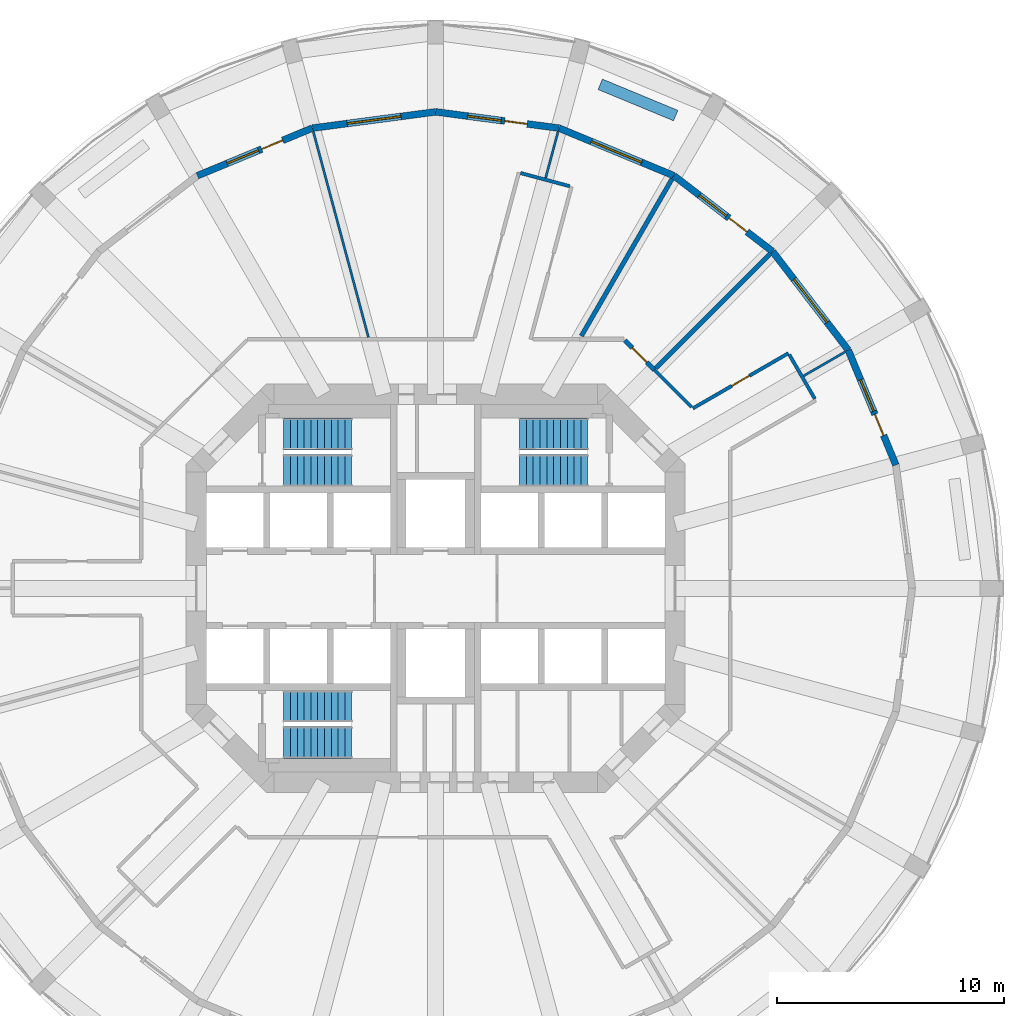
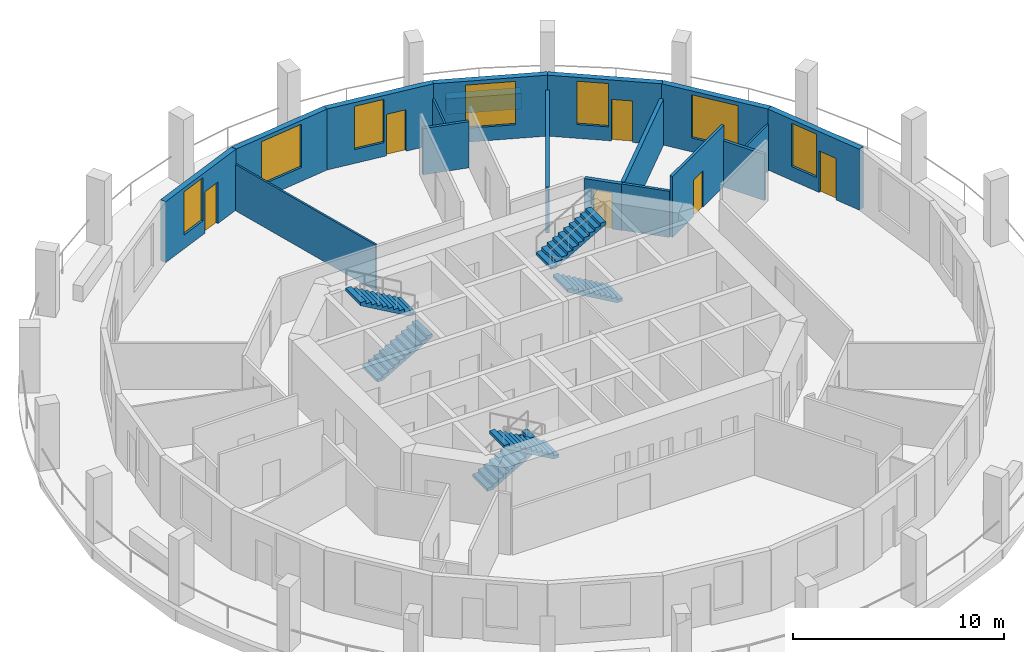
# One storey, part 6 of 8: 18 walls, 7 windows, 6 doors, 6 stair flights, 13 openings, 3 elements without a shape of their own.
"""IFC4 building model written with IfcOpenShell, lengths in metres."""

import ifcopenshell
import ifcopenshell.guid

model = None  # the IFC model being written
_history = None  # IfcOwnerHistory: only IFC2X3 demands one
_inside = {}  # id of a spatial element -> (the spatial element, [elements in it])
_under = {}  # id of a project, library or spatial element -> (it, [spatial elements below it])
_declared = {}  # id of a project -> (the project, [libraries it declares])
_typed = {}  # id of a type object -> (the type object, [elements of that type])
_made_of = {}  # id of a material, layer set ... -> (it, [elements and type objects made of it])


def new_model(schema):
    """Start an empty IFC model of exactly this schema.

    Asked for "IFC4X3", IfcOpenShell would pick the latest addendum, in which some entities
    have other attributes; the version numbers below select the first issue.
    IFC2X3 requires an IfcOwnerHistory on every rooted entity: one is made here for all.
    """
    global model, _history
    if schema == "IFC4X3":
        model = ifcopenshell.file(schema_version=(4, 3, 0, 0))
    else:
        model = ifcopenshell.file(schema=schema)
    _inside.clear()
    _under.clear()
    _declared.clear()
    _typed.clear()
    _made_of.clear()
    _history = None
    if model.schema == "IFC2X3":
        org = make("IfcOrganization", Name="unknown")
        user = make(
            "IfcPersonAndOrganization",
            ThePerson=make("IfcPerson", FamilyName="unknown"),
            TheOrganization=org,
        )
        app = make(
            "IfcApplication",
            ApplicationDeveloper=org,
            Version="unknown",
            ApplicationFullName="unknown",
            ApplicationIdentifier="unknown",
        )
        _history = make(
            "IfcOwnerHistory",
            OwningUser=user,
            OwningApplication=app,
            ChangeAction="ADDED",
            CreationDate=0,
        )
    return model


def make(cls, **values):
    """One entity of the class cls with the attributes given. An attribute that is None is left unset."""
    return model.create_entity(
        cls, **{name: value for name, value in values.items() if value is not None}
    )


def rooted(cls, **values):
    """An entity with a GlobalId (a new one), such as an element, a storey or a relation."""
    return make(cls, GlobalId=ifcopenshell.guid.new(), OwnerHistory=_history, **values)


def si_unit(unit_type, name, prefix=None):
    """IfcSIUnit, for example si_unit("LENGTHUNIT", "METRE", prefix="MILLI")."""
    return make("IfcSIUnit", UnitType=unit_type, Prefix=prefix, Name=name)


def assignment(units):
    """IfcUnitAssignment: the units of a project."""
    return None if units is None else make("IfcUnitAssignment", Units=units)


def point(xyz):
    """IfcCartesianPoint."""
    return None if xyz is None else make("IfcCartesianPoint", Coordinates=xyz)


def direction(xyz):
    """IfcDirection."""
    return None if xyz is None else make("IfcDirection", DirectionRatios=xyz)


def frame(location, z_axis=None, x_axis=None):
    """IfcAxis2Placement3D, a coordinate frame: its origin and axes. An axis left out is left unset."""
    return make(
        "IfcAxis2Placement3D",
        Location=point(location),
        Axis=direction(z_axis),
        RefDirection=direction(x_axis),
    )


def frame_2d(location, x_axis=None):
    """IfcAxis2Placement2D, a coordinate frame in the plane: its origin and x axis."""
    return make(
        "IfcAxis2Placement2D", Location=point(location), RefDirection=direction(x_axis)
    )


def origin():
    """The frame at (0, 0, 0) with its axes left unset."""
    return frame((0.0, 0.0, 0.0))


def place(relative_to, where):
    """IfcLocalPlacement: puts the frame where relative to a parent placement (None: the world)."""
    return make(
        "IfcLocalPlacement", PlacementRelTo=relative_to, RelativePlacement=where
    )


def context(
    kind, dimensions, precision=None, world=None, true_north=None, identifier=None
):
    """IfcGeometricRepresentationContext, for example the 3D "Model" context."""
    return make(
        "IfcGeometricRepresentationContext",
        ContextIdentifier=identifier,
        ContextType=kind,
        CoordinateSpaceDimension=dimensions,
        Precision=precision,
        WorldCoordinateSystem=world,
        TrueNorth=true_north,
    )


def subcontext(parent, identifier, kind, view, scale=None):
    """IfcGeometricRepresentationSubContext, for example "Body" below "Model"."""
    return make(
        "IfcGeometricRepresentationSubContext",
        ContextIdentifier=identifier,
        ContextType=kind,
        ParentContext=parent,
        TargetScale=scale,
        TargetView=view,
    )


def project(units=None, contexts=None):
    """IfcProject with its units and contexts."""
    return rooted(
        "IfcProject",
        Name="project",
        RepresentationContexts=contexts,
        UnitsInContext=assignment(units),
    )


def spatial(cls, under=None, at=None, **own):
    """A site, building, storey or space (cls), placed at a placement, below another one or the project."""
    s = rooted(cls, ObjectPlacement=at, **own)
    if under is not None:
        _under.setdefault(under.id(), (under, []))[1].append(s)
    return s


def polyline(points):
    """IfcPolyline through the points."""
    return make("IfcPolyline", Points=[point(p) for p in points])


def profile(cls, at=None, kind="AREA", **sizes):
    """A parametric profile (cls). Its sizes go by their IFC names, for example OverallWidth=200.0."""
    return make(cls, ProfileType=kind, Position=at, **sizes)


def rectangle(**sizes):
    """IfcRectangleProfileDef."""
    return profile("IfcRectangleProfileDef", **sizes)


def outline(outer, holes=None, kind="AREA"):
    """IfcArbitraryClosedProfileDef: a profile drawn as a closed curve; with holes, ...WithVoids."""
    if holes is None:
        return make("IfcArbitraryClosedProfileDef", ProfileType=kind, OuterCurve=outer)
    return make(
        "IfcArbitraryProfileDefWithVoids",
        ProfileType=kind,
        OuterCurve=outer,
        InnerCurves=holes,
    )


def extrude(swept, where, along, depth):
    """IfcExtrudedAreaSolid: the profile swept, set in the frame where, extruded along a direction by depth."""
    return make(
        "IfcExtrudedAreaSolid",
        SweptArea=swept,
        Position=where,
        ExtrudedDirection=direction(along),
        Depth=depth,
    )


def shape(context_of_items, identifier, shape_type, items):
    """IfcShapeRepresentation: the items that make up one representation, for example the "Body"."""
    return make(
        "IfcShapeRepresentation",
        ContextOfItems=context_of_items,
        RepresentationIdentifier=identifier,
        RepresentationType=shape_type,
        Items=items,
    )


def material(Name=None, Category=None):
    """IfcMaterial."""
    return make("IfcMaterial", Name=Name, Category=Category)


def layer(
    of_material, thickness, ventilated=None, Name=None, Category=None, Priority=None
):
    """IfcMaterialLayer: one layer of a wall or slab, of a material (None: an air gap)."""
    return make(
        "IfcMaterialLayer",
        Material=of_material,
        LayerThickness=thickness,
        IsVentilated=ventilated,
        Name=Name,
        Category=Category,
        Priority=Priority,
    )


def layer_set(layers, Name=None):
    """IfcMaterialLayerSet."""
    return make("IfcMaterialLayerSet", MaterialLayers=layers, LayerSetName=Name)


def made_of(thing, what):
    """Note that an element or type object is made of a material, layer set ...; save() writes the relation."""
    if what is not None:
        _made_of.setdefault(what.id(), (what, []))[1].append(thing)
    return thing


def type_object(cls, material=None, **own):
    """A type object (cls), such as IfcWallType, which elements share."""
    return made_of(rooted(cls, **own), material)


def element(
    cls,
    number,
    at=None,
    inside=None,
    cuts=None,
    type_object=None,
    material=None,
    context=None,
    identifier="Body",
    shape_type=None,
    held_by="IfcProductDefinitionShape",
    body=None,
    shapes=None,
    **own,
):
    """One element of the class cls, such as IfcWall. Its Tag is "e" and its number.

    at: its placement. inside: the storey or other place that contains it. cuts: it is an
    opening in that element (IfcRelVoidsElement). A single representation is given by context,
    identifier, shape_type and body (its items); several are given by shapes. held_by: the class
    of the entity that holds the representations. save() writes the other relations.
    """
    e = rooted(cls, Tag="e%d" % number, ObjectPlacement=at, **own)
    if body is not None:
        shapes = [shape(context, identifier, shape_type, body)]
    if shapes is not None:
        e.Representation = make(held_by, Representations=shapes)
    if inside is not None:
        _inside.setdefault(inside.id(), (inside, []))[1].append(e)
    if cuts is not None:
        rooted(
            "IfcRelVoidsElement", RelatingBuildingElement=cuts, RelatedOpeningElement=e
        )
    if type_object is not None:
        _typed.setdefault(type_object.id(), (type_object, []))[1].append(e)
    return made_of(e, material)


def fill(opening, filler):
    """IfcRelFillsElement: the door or window that sits in an opening."""
    return rooted(
        "IfcRelFillsElement",
        RelatingOpeningElement=opening,
        RelatedBuildingElement=filler,
    )


def aggregate(whole, parts):
    """IfcRelAggregates: a whole, such as a stair, and the parts it consists of."""
    return rooted("IfcRelAggregates", RelatingObject=whole, RelatedObjects=parts)


def save(model, path):
    """Write the relations noted so far, then the file.

    IfcRelAggregates (storeys below a building ...), IfcRelContainedInSpatialStructure (elements
    in a storey), IfcRelDefinesByType, IfcRelAssociatesMaterial and IfcRelDeclares: one each for
    every whole, place, type object, material and project.
    """
    for whole, parts in _under.values():
        aggregate(whole, parts)
    for where, things in _inside.values():
        rooted(
            "IfcRelContainedInSpatialStructure",
            RelatedElements=things,
            RelatingStructure=where,
        )
    for kind, things in _typed.values():
        rooted("IfcRelDefinesByType", RelatedObjects=things, RelatingType=kind)
    for what, things in _made_of.values():
        rooted("IfcRelAssociatesMaterial", RelatedObjects=things, RelatingMaterial=what)
    for by, libraries in _declared.values():
        rooted("IfcRelDeclares", RelatingContext=by, RelatedDefinitions=libraries)
    model.write(path)


model = new_model("IFC4")

# Units and contexts
model_context = context("Model", 3, precision=1e-05, world=origin(), true_north=direction((0.0, 1.0)))
body_context = subcontext(model_context, "Body", "Model", "MODEL_VIEW")
ifc_project = project(units=[si_unit("LENGTHUNIT", "METRE"), si_unit("AREAUNIT", "SQUARE_METRE"), si_unit("VOLUMEUNIT", "CUBIC_METRE"), si_unit("PLANEANGLEUNIT", "RADIAN"), si_unit("MASSUNIT", "GRAM", prefix="KILO")], contexts=[model_context])

# Site, building, storey
site_placement = place(None, origin())
site = spatial("IfcSite", under=ifc_project, at=site_placement, CompositionType="ELEMENT")
building_placement = place(site_placement, origin())
building = spatial("IfcBuilding", under=site, at=building_placement, Name="Torre Triforio", CompositionType="ELEMENT")
storey_placement = place(building_placement, frame((0.0, 0.0, 139.0)))
storey = spatial("IfcBuildingStorey", under=building, at=storey_placement, Name="L31", CompositionType="ELEMENT", Elevation=139.0)

# Walls
ifc_material_1 = material(Name="Plasterboard on metal studs")
ifc_layer_1 = layer(ifc_material_1, 0.14990234375)
ifc_layer_set_1 = layer_set([ifc_layer_1], Name="Plasterboard on metal studs")
wall_type_1 = type_object("IfcWallType", Name="Corridor and tenancy wall 150 mm EI 60", PredefinedType="PARTITIONING", material=ifc_layer_set_1)
wall_1_placement = place(storey_placement, frame((3.739990234375, 18.304443359375, 0.0), z_axis=(0.0, 0.0, 1.0), x_axis=(0.965933522054, -0.25879032241, 0.0)))
element("IfcWall", 1, at=wall_1_placement, inside=storey, type_object=wall_type_1, Name="Partition 11", PredefinedType="PARTITIONING", context=body_context, shape_type="SweptSolid", body=[
    extrude(rectangle(XDim=2.25, YDim=0.14990234375, at=frame_2d((1.125, 0.0))), origin(), (0.0, 0.0, 1.0), 2.669921875),
])
wall_2_placement = place(storey_placement, frame((9.6328125, 9.6328125, 0.0), z_axis=(0.0, 0.0, 1.0), x_axis=(0.707106781187, -0.707106781187, 0.0)))
element("IfcWall", 2, at=wall_2_placement, inside=storey, type_object=wall_type_1, Name="Partition 16", PredefinedType="PARTITIONING", context=body_context, shape_type="SweptSolid", body=[
    extrude(rectangle(XDim=2.33544921875, YDim=0.14990234375, at=frame_2d((1.167724609375, 0.0))), origin(), (0.0, 0.0, 1.0), 2.669921875),
])

# Wall, opening, door
wall_3_placement = place(storey_placement, frame((11.335693359375, 7.930419921875, 0.0), z_axis=(0.0, 0.0, 1.0), x_axis=(0.866042731792, 0.49996998581, 0.0)))
wall_3 = element("IfcWall", 3, at=wall_3_placement, inside=storey, type_object=wall_type_1, Name="Partition 17", PredefinedType="PARTITIONING", context=body_context, shape_type="SweptSolid", body=[
    extrude(rectangle(XDim=4.866455078125, YDim=0.14990234375, at=frame_2d((2.43310546875, 0.0))), origin(), (0.0, 0.0, 1.0), 3.52001953125),
])
opening_1_placement = place(wall_3_placement, frame((1.9833984375, 0.0, 0.0)))
opening_1 = element("IfcOpeningElement", 4, at=opening_1_placement, cuts=wall_3, Name="Opening D3-10", PredefinedType="OPENING", context=body_context, shape_type="SweptSolid", body=[
    extrude(rectangle(XDim=0.89990234375, YDim=2.10009765625, at=frame_2d((0.449951171875, 1.050048828125))), frame((0.0, 0.0849609375, 0.0), z_axis=(0.0, -1.0, 0.0), x_axis=(1.0, 0.0, 0.0)), (0.0, 0.0, 1.0), 0.169921875),
])
ifc_material_2 = material(Name="Timber", Category="wood")
door_type_1 = type_object("IfcDoorType", Name="Door 900 x 2100 single leaf EI 30", OperationType="NOTDEFINED", PredefinedType="DOOR", material=ifc_material_2)
door_1_placement = place(opening_1_placement, origin())
door_1 = element("IfcDoor", 5, at=door_1_placement, inside=storey, type_object=door_type_1, Name="Door D3-10", OperationType="SINGLE_SWING_LEFT", OverallHeight=2.10009765625, OverallWidth=0.89990234375, PredefinedType="DOOR", context=body_context, shape_type="SweptSolid", body=[
    extrude(rectangle(XDim=0.89990234375, YDim=2.10009765625, at=frame_2d((0.449951171875, 1.050048828125))), frame((0.0, 0.02490234375, 0.0), z_axis=(0.0, -1.0, 0.0), x_axis=(1.0, 0.0, 0.0)), (0.0, 0.0, 1.0), 0.050048828125),
])
fill(opening_1, door_1)

# Walls
wall_4_placement = place(storey_placement, frame((15.587890625, 10.298583984375, 0.0), z_axis=(0.0, 0.0, 1.0), x_axis=(0.500013631625, -0.866017533419, 0.0)))
element("IfcWall", 6, at=wall_4_placement, inside=storey, type_object=wall_type_1, Name="Partition 18", PredefinedType="PARTITIONING", context=body_context, shape_type="SweptSolid", body=[
    extrude(rectangle(XDim=2.25, YDim=0.14990234375, at=frame_2d((1.125, 0.0))), origin(), (0.0, 0.0, 1.0), 2.669921875),
])
ifc_layer_2 = layer(ifc_material_1, 0.10009765625)
ifc_layer_set_2 = layer_set([ifc_layer_2], Name="Plasterboard on metal studs")
wall_type_2 = type_object("IfcWallType", Name="Partition 100 mm board on metal studs", PredefinedType="PARTITIONING", material=ifc_layer_set_2)
wall_5_placement = place(storey_placement, frame((16.215087890625, 9.36181640625, 0.0), z_axis=(0.0, 0.0, 1.0), x_axis=(0.866016279763, 0.500015802937, 0.0)))
element("IfcWall", 7, at=wall_5_placement, inside=storey, type_object=wall_type_2, Name="Partition 30", PredefinedType="PARTITIONING", context=body_context, shape_type="SweptSolid", body=[
    extrude(rectangle(XDim=2.11328125, YDim=0.10009765625, at=frame_2d((1.056640625, 0.0))), origin(), (0.0, 0.0, 1.0), 2.669921875),
])
wall_6_placement = place(storey_placement, frame((4.84619140625, 18.085693359375, 0.0), z_axis=(0.0, 0.0, 1.0), x_axis=(0.258705282257, 0.965956301772, 0.0)))
element("IfcWall", 8, at=wall_6_placement, inside=storey, type_object=wall_type_2, Name="Partition 33", PredefinedType="PARTITIONING", context=body_context, shape_type="SweptSolid", body=[
    extrude(rectangle(XDim=2.113037109375, YDim=0.10009765625, at=frame_2d((1.056640625, 0.0))), origin(), (0.0, 0.0, 1.0), 2.669921875),
])
wall_7_placement = place(storey_placement, frame((-2.964599609375, 11.064208984375, 0.0), z_axis=(0.0, 0.0, 1.0), x_axis=(-0.258812392192, 0.965927608906, 0.0)))
element("IfcWall", 9, at=wall_7_placement, inside=storey, type_object=wall_type_2, Name="Partition 34", PredefinedType="PARTITIONING", context=body_context, shape_type="SweptSolid", body=[
    extrude(rectangle(XDim=9.382080078125, YDim=0.10009765625, at=frame_2d((4.69091796875, 0.0))), origin(), (0.0, 0.0, 1.0), 2.669921875),
])

# Wall, opening, door
ifc_material_3 = material(Name="Masonry block", Category="masonry")
ifc_layer_3 = layer(ifc_material_3, 0.199951171875)
ifc_layer_set_3 = layer_set([ifc_layer_3], Name="Masonry block")
wall_type_3 = type_object("IfcWallType", Name="Plant room wall 200 mm block EI 120", PredefinedType="PARTITIONING", material=ifc_layer_set_3)
wall_8_placement = place(storey_placement, frame((8.34033203125, 10.925537109375, 0.0), z_axis=(0.0, 0.0, 1.0), x_axis=(0.707040000549, -0.707173555517, 0.0)))
wall_8 = element("IfcWall", 10, at=wall_8_placement, inside=storey, type_object=wall_type_3, Name="Partition 15", PredefinedType="PARTITIONING", context=body_context, shape_type="SweptSolid", body=[
    extrude(rectangle(XDim=1.828125, YDim=0.199951171875, at=frame_2d((0.9140625, 0.0))), origin(), (0.0, 0.0, 1.0), 2.669921875),
])
opening_2_placement = place(wall_8_placement, frame((0.464111328125, 0.0, 0.0)))
opening_2 = element("IfcOpeningElement", 11, at=opening_2_placement, cuts=wall_8, Name="Opening D3-11", PredefinedType="OPENING", context=body_context, shape_type="SweptSolid", body=[
    extrude(rectangle(XDim=0.89990234375, YDim=2.10009765625, at=frame_2d((0.449951171875, 1.050048828125))), frame((0.0, 0.10986328125, 0.0), z_axis=(0.0, -1.0, 0.0), x_axis=(1.0, 0.0, 0.0)), (0.0, 0.0, 1.0), 0.219970703125),
])
ifc_material_4 = material(Name="Hollow metal fire door leaf")
door_type_2 = type_object("IfcDoorType", Name="Door 900 x 2100 single leaf EI 60", OperationType="NOTDEFINED", PredefinedType="DOOR", material=ifc_material_4)
door_2_placement = place(opening_2_placement, origin())
door_2 = element("IfcDoor", 12, at=door_2_placement, inside=storey, type_object=door_type_2, Name="Door D3-11", OperationType="SINGLE_SWING_LEFT", OverallHeight=2.10009765625, OverallWidth=0.89990234375, PredefinedType="DOOR", context=body_context, shape_type="SweptSolid", body=[
    extrude(rectangle(XDim=0.89990234375, YDim=2.10009765625, at=frame_2d((0.449951171875, 1.050048828125))), frame((0.0, 0.02490234375, 0.0), z_axis=(0.0, -1.0, 0.0), x_axis=(1.0, 0.0, 0.0)), (0.0, 0.0, 1.0), 0.050048828125),
])
fill(opening_2, door_2)

# Walls
wall_9_placement = place(storey_placement, frame((9.70361328125, 9.70361328125, 0.0), z_axis=(0.0, 0.0, 1.0), x_axis=(0.707106781187, 0.707106781187, 0.0)))
element("IfcWall", 13, at=wall_9_placement, inside=storey, type_object=wall_type_3, Name="Partition 31", PredefinedType="PARTITIONING", context=body_context, shape_type="SweptSolid", body=[
    extrude(rectangle(XDim=7.11376953125, YDim=0.199951171875, at=frame_2d((3.556884765625, 0.0))), origin(), (0.0, 0.0, 1.0), 2.669921875),
])
wall_10_placement = place(storey_placement, frame((6.422607421875, 11.12451171875, 0.0), z_axis=(0.0, 0.0, 1.0), x_axis=(0.500019519773, 0.866014133745, 0.0)))
element("IfcWall", 14, at=wall_10_placement, inside=storey, type_object=wall_type_3, Name="Partition 32", PredefinedType="PARTITIONING", context=body_context, shape_type="SweptSolid", body=[
    extrude(rectangle(XDim=7.991455078125, YDim=0.199951171875, at=frame_2d((3.99560546875, 0.0))), origin(), (0.0, 0.0, 1.0), 2.669921875),
])
ifc_material_5 = material(Name="Limestone cladding", Category="masonry")
ifc_layer_4 = layer(ifc_material_5, 0.10009765625)
ifc_material_6 = material(Name="Concrete C40", Category="concrete")
ifc_layer_5 = layer(ifc_material_6, 0.39990234375)
ifc_layer_set_4 = layer_set([ifc_layer_4, ifc_layer_5], Name="Limestone cladding / Concrete C40")
wall_type_4 = type_object("IfcWallType", Name="Planter wall 500", PredefinedType="PARAPET", material=ifc_layer_set_4)
wall_11_placement = place(storey_placement, frame((10.57958984375, 20.837646484375, 0.0), z_axis=(0.0, 0.0, 1.0), x_axis=(-0.923909393783, 0.382611332921, 0.0)))
element("IfcWall", 15, at=wall_11_placement, inside=storey, type_object=wall_type_4, Name="Planter L31 bay 05", PredefinedType="PARAPET", context=body_context, shape_type="SweptSolid", body=[
    extrude(rectangle(XDim=3.60009765625, YDim=0.5, at=frame_2d((1.800048828125, 0.0))), origin(), (0.0, 0.0, 1.0), 0.89990234375),
])

# Wall, openings, door, window
ifc_layer_6 = layer(ifc_material_5, 0.10009765625)
ifc_layer_7 = layer(ifc_material_6, 0.199951171875)
ifc_layer_set_5 = layer_set([ifc_layer_6, ifc_layer_7], Name="Limestone cladding / Concrete C40")
wall_type_5 = type_object("IfcWallType", Name="Stone-faced composite wall 300", PredefinedType="STANDARD", material=ifc_layer_set_5)
wall_12_placement = place(storey_placement, frame((20.284423828125, 5.435302734375, 0.0), z_axis=(0.0, 0.0, 1.0), x_axis=(-0.382688740813, 0.923877333662, 0.0)))
wall_12 = element("IfcWall", 16, at=wall_12_placement, inside=storey, type_object=wall_type_5, Name="External wall L31 bay 02", PredefinedType="STANDARD", context=body_context, shape_type="SweptSolid", body=[
    extrude(rectangle(XDim=5.48193359375, YDim=0.300048828125, at=frame_2d((2.740966796875, 0.0))), origin(), (0.0, 0.0, 1.0), 3.52001953125),
])
opening_3_placement = place(wall_12_placement, frame((1.416015625, 0.0, 0.0)))
opening_3 = element("IfcOpeningElement", 17, at=opening_3_placement, cuts=wall_12, Name="Opening D3-D02", PredefinedType="OPENING", context=body_context, shape_type="SweptSolid", body=[
    extrude(rectangle(XDim=1.0, YDim=2.39990234375, at=frame_2d((0.5, 1.199951171875))), frame((0.0, 0.159912109375, 0.0), z_axis=(0.0, -1.0, 0.0), x_axis=(1.0, 0.0, 0.0)), (0.0, 0.0, 1.0), 0.320068359375),
])
opening_4_placement = place(wall_12_placement, frame((2.566162109375, 0.0, 0.800048828125)))
opening_4 = element("IfcOpeningElement", 18, at=opening_4_placement, cuts=wall_12, Name="Opening D3-W02A", PredefinedType="OPENING", context=body_context, shape_type="SweptSolid", body=[
    extrude(rectangle(XDim=1.5, YDim=2.5, at=frame_2d((0.75, 1.25))), frame((0.0, 0.159912109375, 0.0), z_axis=(0.0, -1.0, 0.0), x_axis=(1.0, 0.0, 0.0)), (0.0, 0.0, 1.0), 0.320068359375),
])
ifc_material_7 = material(Name="Aluminium frame with clear double glazing", Category="aluminium")
door_type_3 = type_object("IfcDoorType", Name="Loggia door 1000 x 2400", OperationType="NOTDEFINED", PredefinedType="DOOR", material=ifc_material_7)
door_3_placement = place(opening_3_placement, origin())
door_3 = element("IfcDoor", 19, at=door_3_placement, inside=storey, type_object=door_type_3, Name="Loggia door L31 bay 02", OperationType="SINGLE_SWING_LEFT", OverallHeight=2.39990234375, OverallWidth=1.0, PredefinedType="DOOR", context=body_context, shape_type="SweptSolid", body=[
    extrude(rectangle(XDim=1.0, YDim=2.39990234375, at=frame_2d((0.5, 1.199951171875))), frame((0.0, 0.02490234375, 0.0), z_axis=(0.0, -1.0, 0.0), x_axis=(1.0, 0.0, 0.0)), (0.0, 0.0, 1.0), 0.050048828125),
])
fill(opening_3, door_3)
window_type_1 = type_object("IfcWindowType", Name="Side window 1500 x 2500", PartitioningType="SINGLE_PANEL", PredefinedType="WINDOW", material=ifc_material_7)
window_1_placement = place(opening_4_placement, origin())
window_1 = element("IfcWindow", 20, at=window_1_placement, inside=storey, type_object=window_type_1, Name="Side window EWN13 L31 bay 02", OverallHeight=2.5, OverallWidth=1.5, PartitioningType="SINGLE_PANEL", PredefinedType="WINDOW", context=body_context, shape_type="SweptSolid", body=[
    extrude(rectangle(XDim=1.5, YDim=2.5, at=frame_2d((0.75, 1.25))), frame((0.0, 0.030029296875, 0.0), z_axis=(0.0, -1.0, 0.0), x_axis=(1.0, 0.0, 0.0)), (0.0, 0.0, 1.0), 0.06005859375),
])
fill(opening_4, window_1)

# Wall, opening, window
wall_13_placement = place(storey_placement, frame((18.1865234375, 10.5, 0.0), z_axis=(0.0, 0.0, 1.0), x_axis=(-0.608784891166, 0.793335336593, 0.0)))
wall_13 = element("IfcWall", 21, at=wall_13_placement, inside=storey, type_object=wall_type_5, Name="External wall L31 bay 03", PredefinedType="STANDARD", context=body_context, shape_type="SweptSolid", body=[
    extrude(rectangle(XDim=5.482177734375, YDim=0.300048828125, at=frame_2d((2.7412109375, 0.0))), origin(), (0.0, 0.0, 1.0), 3.52001953125),
])
opening_5_placement = place(wall_13_placement, frame((1.541015625, 0.0, 0.800048828125)))
opening_5 = element("IfcOpeningElement", 22, at=opening_5_placement, cuts=wall_13, Name="Opening D3-W03", PredefinedType="OPENING", context=body_context, shape_type="SweptSolid", body=[
    extrude(rectangle(XDim=2.39990234375, YDim=2.5, at=frame_2d((1.199951171875, 1.25))), frame((0.0, 0.159912109375, 0.0), z_axis=(0.0, -1.0, 0.0), x_axis=(1.0, 0.0, 0.0)), (0.0, 0.0, 1.0), 0.320068359375),
])
window_type_2 = type_object("IfcWindowType", Name="Punched window 2400 x 2500", PartitioningType="DOUBLE_PANEL_VERTICAL", PredefinedType="WINDOW", material=ifc_material_7)
window_2_placement = place(opening_5_placement, origin())
window_2 = element("IfcWindow", 23, at=window_2_placement, inside=storey, type_object=window_type_2, Name="Window EWN3 L31 bay 03", OverallHeight=2.5, OverallWidth=2.39990234375, PartitioningType="SINGLE_PANEL", PredefinedType="WINDOW", context=body_context, shape_type="SweptSolid", body=[
    extrude(rectangle(XDim=2.39990234375, YDim=2.5, at=frame_2d((1.199951171875, 1.25))), frame((0.0, 0.030029296875, 0.0), z_axis=(0.0, -1.0, 0.0), x_axis=(1.0, 0.0, 0.0)), (0.0, 0.0, 1.0), 0.06005859375),
])
fill(opening_5, window_2)

# Wall, openings, door, window
wall_14_placement = place(storey_placement, frame((14.84912109375, 14.84912109375, 0.0), z_axis=(0.0, 0.0, 1.0), x_axis=(-0.793335336593, 0.608784891166, 0.0)))
wall_14 = element("IfcWall", 24, at=wall_14_placement, inside=storey, type_object=wall_type_5, Name="External wall L31 bay 04", PredefinedType="STANDARD", context=body_context, shape_type="SweptSolid", body=[
    extrude(rectangle(XDim=5.482177734375, YDim=0.300048828125, at=frame_2d((2.7412109375, 0.0))), origin(), (0.0, 0.0, 1.0), 3.52001953125),
])
opening_6_placement = place(wall_14_placement, frame((1.416015625, 0.0, 0.0)))
opening_6 = element("IfcOpeningElement", 25, at=opening_6_placement, cuts=wall_14, Name="Opening D3-D04", PredefinedType="OPENING", context=body_context, shape_type="SweptSolid", body=[
    extrude(rectangle(XDim=1.0, YDim=2.39990234375, at=frame_2d((0.5, 1.199951171875))), frame((0.0, 0.159912109375, 0.0), z_axis=(0.0, -1.0, 0.0), x_axis=(1.0, 0.0, 0.0)), (0.0, 0.0, 1.0), 0.320068359375),
])
opening_7_placement = place(wall_14_placement, frame((2.56591796875, 0.0, 0.800048828125)))
opening_7 = element("IfcOpeningElement", 26, at=opening_7_placement, cuts=wall_14, Name="Opening D3-W04A", PredefinedType="OPENING", context=body_context, shape_type="SweptSolid", body=[
    extrude(rectangle(XDim=1.5, YDim=2.5, at=frame_2d((0.75, 1.25))), frame((0.0, 0.159912109375, 0.0), z_axis=(0.0, -1.0, 0.0), x_axis=(1.0, 0.0, 0.0)), (0.0, 0.0, 1.0), 0.320068359375),
])
door_4_placement = place(opening_6_placement, origin())
door_4 = element("IfcDoor", 27, at=door_4_placement, inside=storey, type_object=door_type_3, Name="Loggia door L31 bay 04", OperationType="SINGLE_SWING_LEFT", OverallHeight=2.39990234375, OverallWidth=1.0, PredefinedType="DOOR", context=body_context, shape_type="SweptSolid", body=[
    extrude(rectangle(XDim=1.0, YDim=2.39990234375, at=frame_2d((0.5, 1.199951171875))), frame((0.0, 0.02490234375, 0.0), z_axis=(0.0, -1.0, 0.0), x_axis=(1.0, 0.0, 0.0)), (0.0, 0.0, 1.0), 0.050048828125),
])
fill(opening_6, door_4)
window_3_placement = place(opening_7_placement, origin())
window_3 = element("IfcWindow", 28, at=window_3_placement, inside=storey, type_object=window_type_1, Name="Side window EWN13 L31 bay 04", OverallHeight=2.5, OverallWidth=1.5, PartitioningType="SINGLE_PANEL", PredefinedType="WINDOW", context=body_context, shape_type="SweptSolid", body=[
    extrude(rectangle(XDim=1.5, YDim=2.5, at=frame_2d((0.75, 1.25))), frame((0.0, 0.030029296875, 0.0), z_axis=(0.0, -1.0, 0.0), x_axis=(1.0, 0.0, 0.0)), (0.0, 0.0, 1.0), 0.06005859375),
])
fill(opening_7, window_3)

# Wall, opening, window
wall_15_placement = place(storey_placement, frame((10.5, 18.1865234375, 0.0), z_axis=(0.0, 0.0, 1.0), x_axis=(-0.923877333662, 0.382688740813, 0.0)))
wall_15 = element("IfcWall", 29, at=wall_15_placement, inside=storey, type_object=wall_type_5, Name="External wall L31 bay 05", PredefinedType="STANDARD", context=body_context, shape_type="SweptSolid", body=[
    extrude(rectangle(XDim=5.48193359375, YDim=0.300048828125, at=frame_2d((2.740966796875, 0.0))), origin(), (0.0, 0.0, 1.0), 3.52001953125),
])
opening_8_placement = place(wall_15_placement, frame((1.541015625, 0.0, 0.800048828125)))
opening_8 = element("IfcOpeningElement", 30, at=opening_8_placement, cuts=wall_15, Name="Opening D3-W05", PredefinedType="OPENING", context=body_context, shape_type="SweptSolid", body=[
    extrude(rectangle(XDim=2.39990234375, YDim=2.5, at=frame_2d((1.199951171875, 1.25))), frame((0.0, 0.159912109375, 0.0), z_axis=(0.0, -1.0, 0.0), x_axis=(1.0, 0.0, 0.0)), (0.0, 0.0, 1.0), 0.320068359375),
])
window_4_placement = place(opening_8_placement, origin())
window_4 = element("IfcWindow", 31, at=window_4_placement, inside=storey, type_object=window_type_2, Name="Window EWN3 L31 bay 05", OverallHeight=2.5, OverallWidth=2.39990234375, PartitioningType="SINGLE_PANEL", PredefinedType="WINDOW", context=body_context, shape_type="SweptSolid", body=[
    extrude(rectangle(XDim=2.39990234375, YDim=2.5, at=frame_2d((1.199951171875, 1.25))), frame((0.0, 0.030029296875, 0.0), z_axis=(0.0, -1.0, 0.0), x_axis=(1.0, 0.0, 0.0)), (0.0, 0.0, 1.0), 0.06005859375),
])
fill(opening_8, window_4)

# Wall, openings, door, window
wall_16_placement = place(storey_placement, frame((5.435302734375, 20.284423828125, 0.0), z_axis=(0.0, 0.0, 1.0), x_axis=(-0.991444743541, 0.130527087244, 0.0)))
wall_16 = element("IfcWall", 32, at=wall_16_placement, inside=storey, type_object=wall_type_5, Name="External wall L31 bay 06", PredefinedType="STANDARD", context=body_context, shape_type="SweptSolid", body=[
    extrude(rectangle(XDim=5.482177734375, YDim=0.300048828125, at=frame_2d((2.7412109375, 0.0))), origin(), (0.0, 0.0, 1.0), 3.52001953125),
])
opening_9_placement = place(wall_16_placement, frame((1.416015625, 0.0, 0.0)))
opening_9 = element("IfcOpeningElement", 33, at=opening_9_placement, cuts=wall_16, Name="Opening D3-D06", PredefinedType="OPENING", context=body_context, shape_type="SweptSolid", body=[
    extrude(rectangle(XDim=1.0, YDim=2.39990234375, at=frame_2d((0.5, 1.199951171875))), frame((0.0, 0.159912109375, 0.0), z_axis=(0.0, -1.0, 0.0), x_axis=(1.0, 0.0, 0.0)), (0.0, 0.0, 1.0), 0.320068359375),
])
opening_10_placement = place(wall_16_placement, frame((2.566162109375, 0.0, 0.800048828125)))
opening_10 = element("IfcOpeningElement", 34, at=opening_10_placement, cuts=wall_16, Name="Opening D3-W06A", PredefinedType="OPENING", context=body_context, shape_type="SweptSolid", body=[
    extrude(rectangle(XDim=1.5, YDim=2.5, at=frame_2d((0.75, 1.25))), frame((0.0, 0.159912109375, 0.0), z_axis=(0.0, -1.0, 0.0), x_axis=(1.0, 0.0, 0.0)), (0.0, 0.0, 1.0), 0.320068359375),
])
door_5_placement = place(opening_9_placement, origin())
door_5 = element("IfcDoor", 35, at=door_5_placement, inside=storey, type_object=door_type_3, Name="Loggia door L31 bay 06", OperationType="SINGLE_SWING_LEFT", OverallHeight=2.39990234375, OverallWidth=1.0, PredefinedType="DOOR", context=body_context, shape_type="SweptSolid", body=[
    extrude(rectangle(XDim=1.0, YDim=2.39990234375, at=frame_2d((0.5, 1.199951171875))), frame((0.0, 0.02490234375, 0.0), z_axis=(0.0, -1.0, 0.0), x_axis=(1.0, 0.0, 0.0)), (0.0, 0.0, 1.0), 0.050048828125),
])
fill(opening_9, door_5)
window_5_placement = place(opening_10_placement, origin())
window_5 = element("IfcWindow", 36, at=window_5_placement, inside=storey, type_object=window_type_1, Name="Side window EWN13 L31 bay 06", OverallHeight=2.5, OverallWidth=1.5, PartitioningType="SINGLE_PANEL", PredefinedType="WINDOW", context=body_context, shape_type="SweptSolid", body=[
    extrude(rectangle(XDim=1.5, YDim=2.5, at=frame_2d((0.75, 1.25))), frame((0.0, 0.030029296875, 0.0), z_axis=(0.0, -1.0, 0.0), x_axis=(1.0, 0.0, 0.0)), (0.0, 0.0, 1.0), 0.06005859375),
])
fill(opening_10, window_5)

# Wall, opening, window
wall_17_placement = place(storey_placement, frame((0.0, 21.0, 0.0), z_axis=(0.0, 0.0, 1.0), x_axis=(-0.991444743541, -0.130527087244, 0.0)))
wall_17 = element("IfcWall", 37, at=wall_17_placement, inside=storey, type_object=wall_type_5, Name="External wall L31 bay 07", PredefinedType="STANDARD", context=body_context, shape_type="SweptSolid", body=[
    extrude(rectangle(XDim=5.482177734375, YDim=0.300048828125, at=frame_2d((2.7412109375, 0.0))), origin(), (0.0, 0.0, 1.0), 3.52001953125),
])
opening_11_placement = place(wall_17_placement, frame((1.541015625, 0.0, 0.800048828125)))
opening_11 = element("IfcOpeningElement", 38, at=opening_11_placement, cuts=wall_17, Name="Opening D3-W07", PredefinedType="OPENING", context=body_context, shape_type="SweptSolid", body=[
    extrude(rectangle(XDim=2.39990234375, YDim=2.5, at=frame_2d((1.199951171875, 1.25))), frame((0.0, 0.159912109375, 0.0), z_axis=(0.0, -1.0, 0.0), x_axis=(1.0, 0.0, 0.0)), (0.0, 0.0, 1.0), 0.320068359375),
])
window_6_placement = place(opening_11_placement, origin())
window_6 = element("IfcWindow", 39, at=window_6_placement, inside=storey, type_object=window_type_2, Name="Window EWN3 L31 bay 07", OverallHeight=2.5, OverallWidth=2.39990234375, PartitioningType="SINGLE_PANEL", PredefinedType="WINDOW", context=body_context, shape_type="SweptSolid", body=[
    extrude(rectangle(XDim=2.39990234375, YDim=2.5, at=frame_2d((1.199951171875, 1.25))), frame((0.0, 0.030029296875, 0.0), z_axis=(0.0, -1.0, 0.0), x_axis=(1.0, 0.0, 0.0)), (0.0, 0.0, 1.0), 0.06005859375),
])
fill(opening_11, window_6)

# Wall, openings, door, window
wall_18_placement = place(storey_placement, frame((-5.435302734375, 20.284423828125, 0.0), z_axis=(0.0, 0.0, 1.0), x_axis=(-0.923877333662, -0.382688740813, 0.0)))
wall_18 = element("IfcWall", 40, at=wall_18_placement, inside=storey, type_object=wall_type_5, Name="External wall L31 bay 08", PredefinedType="STANDARD", context=body_context, shape_type="SweptSolid", body=[
    extrude(rectangle(XDim=5.48193359375, YDim=0.300048828125, at=frame_2d((2.740966796875, 0.0))), origin(), (0.0, 0.0, 1.0), 3.52001953125),
])
opening_12_placement = place(wall_18_placement, frame((1.416015625, 0.0, 0.0)))
opening_12 = element("IfcOpeningElement", 41, at=opening_12_placement, cuts=wall_18, Name="Opening D3-D08", PredefinedType="OPENING", context=body_context, shape_type="SweptSolid", body=[
    extrude(rectangle(XDim=1.0, YDim=2.39990234375, at=frame_2d((0.5, 1.199951171875))), frame((0.0, 0.159912109375, 0.0), z_axis=(0.0, -1.0, 0.0), x_axis=(1.0, 0.0, 0.0)), (0.0, 0.0, 1.0), 0.320068359375),
])
opening_13_placement = place(wall_18_placement, frame((2.566162109375, 0.0, 0.800048828125)))
opening_13 = element("IfcOpeningElement", 42, at=opening_13_placement, cuts=wall_18, Name="Opening D3-W08A", PredefinedType="OPENING", context=body_context, shape_type="SweptSolid", body=[
    extrude(rectangle(XDim=1.5, YDim=2.5, at=frame_2d((0.75, 1.25))), frame((0.0, 0.159912109375, 0.0), z_axis=(0.0, -1.0, 0.0), x_axis=(1.0, 0.0, 0.0)), (0.0, 0.0, 1.0), 0.320068359375),
])
door_6_placement = place(opening_12_placement, origin())
door_6 = element("IfcDoor", 43, at=door_6_placement, inside=storey, type_object=door_type_3, Name="Loggia door L31 bay 08", OperationType="SINGLE_SWING_LEFT", OverallHeight=2.39990234375, OverallWidth=1.0, PredefinedType="DOOR", context=body_context, shape_type="SweptSolid", body=[
    extrude(rectangle(XDim=1.0, YDim=2.39990234375, at=frame_2d((0.5, 1.199951171875))), frame((0.0, 0.02490234375, 0.0), z_axis=(0.0, -1.0, 0.0), x_axis=(1.0, 0.0, 0.0)), (0.0, 0.0, 1.0), 0.050048828125),
])
fill(opening_12, door_6)
window_7_placement = place(opening_13_placement, origin())
window_7 = element("IfcWindow", 44, at=window_7_placement, inside=storey, type_object=window_type_1, Name="Side window EWN13 L31 bay 08", OverallHeight=2.5, OverallWidth=1.5, PartitioningType="SINGLE_PANEL", PredefinedType="WINDOW", context=body_context, shape_type="SweptSolid", body=[
    extrude(rectangle(XDim=1.5, YDim=2.5, at=frame_2d((0.75, 1.25))), frame((0.0, 0.030029296875, 0.0), z_axis=(0.0, -1.0, 0.0), x_axis=(1.0, 0.0, 0.0)), (0.0, 0.0, 1.0), 0.06005859375),
])
fill(opening_13, window_7)

# Stair, stair flights
stair_type = type_object("IfcStairType", Name="STAIR HALF-TURN", PredefinedType="HALF_TURN_STAIR", material=ifc_material_6)
stair_1_placement = place(storey_placement, origin())
stair_1 = element("IfcStair", 45, at=stair_1_placement, inside=storey, type_object=stair_type, Name="Exit stair 1", PredefinedType="HALF_TURN_STAIR")
stair_flight_type = type_object("IfcStairFlightType", Name="STAIR FLIGHT 1400", PredefinedType="STRAIGHT", material=ifc_material_6)
stair_flight_1_placement = place(storey_placement, frame((-6.699951171875, 5.199951171875, 0.0), z_axis=(0.0, 0.0, 1.0), x_axis=(1.0, 0.0, 0.0)))
stair_flight_1 = element("IfcStairFlight", 46, at=stair_flight_1_placement, type_object=stair_flight_type, Name="ST1 flight 1", NumberOfRisers=11, NumberOfTreads=10, PredefinedType="STRAIGHT", RiserHeight=0.172727273, TreadLength=0.3, context=body_context, shape_type="SweptSolid", body=[
    extrude(outline(polyline([(0.0, 0.0), (0.0, 0.172607421875), (0.300048828125, 0.172607421875), (0.300048828125, 0.345458984375), (0.60009765625, 0.345458984375), (0.60009765625, 0.51806640625), (0.89990234375, 0.51806640625), (0.89990234375, 0.69091796875), (1.199951171875, 0.69091796875), (1.199951171875, 0.863525390625), (1.5, 0.863525390625), (1.5, 1.036376953125), (1.800048828125, 1.036376953125), (1.800048828125, 1.208984375), (2.10009765625, 1.208984375), (2.10009765625, 1.3818359375), (2.39990234375, 1.3818359375), (2.39990234375, 1.554443359375), (2.699951171875, 1.554443359375), (2.699951171875, 1.727294921875), (3.0, 1.727294921875), (3.0, 1.89990234375), (3.0, 1.55419921875), (0.300537109375, 0.0), (0.0, 0.0)])), frame((0.0, 0.699951171875, 0.0), z_axis=(0.0, -1.0, 0.0), x_axis=(1.0, 0.0, 0.0)), (0.0, 0.0, 1.0), 1.39990234375),
])
stair_flight_2_placement = place(storey_placement, frame((-3.699951171875, 6.800048828125, 1.89990234375), z_axis=(0.0, 0.0, 1.0), x_axis=(-1.0, 0.0, 0.0)))
stair_flight_2 = element("IfcStairFlight", 47, at=stair_flight_2_placement, type_object=stair_flight_type, Name="ST1 flight 2", NumberOfRisers=11, NumberOfTreads=10, PredefinedType="STRAIGHT", RiserHeight=0.172727273, TreadLength=0.3, context=body_context, shape_type="SweptSolid", body=[
    extrude(outline(polyline([(0.0, 0.0), (0.0, 0.172607421875), (0.300048828125, 0.172607421875), (0.300048828125, 0.345458984375), (0.60009765625, 0.345458984375), (0.60009765625, 0.51806640625), (0.89990234375, 0.51806640625), (0.89990234375, 0.69091796875), (1.199951171875, 0.69091796875), (1.199951171875, 0.863525390625), (1.5, 0.863525390625), (1.5, 1.036376953125), (1.800048828125, 1.036376953125), (1.800048828125, 1.208984375), (2.10009765625, 1.208984375), (2.10009765625, 1.3818359375), (2.39990234375, 1.3818359375), (2.39990234375, 1.554443359375), (2.699951171875, 1.554443359375), (2.699951171875, 1.727294921875), (3.0, 1.727294921875), (3.0, 1.89990234375), (3.0, 1.55419921875), (0.300537109375, 0.0), (0.0, 0.0)])), frame((0.0, 0.699951171875, 0.0), z_axis=(0.0, -1.0, 0.0), x_axis=(1.0, 0.0, 0.0)), (0.0, 0.0, 1.0), 1.39990234375),
])
aggregate(stair_1, [stair_flight_1, stair_flight_2])

stair_2_placement = place(storey_placement, origin())
stair_2 = element("IfcStair", 48, at=stair_2_placement, inside=storey, type_object=stair_type, Name="Exit stair 2", PredefinedType="HALF_TURN_STAIR")
stair_flight_3_placement = place(storey_placement, frame((6.699951171875, 5.199951171875, 0.0), z_axis=(0.0, 0.0, 1.0), x_axis=(-1.0, 0.0, 0.0)))
stair_flight_3 = element("IfcStairFlight", 49, at=stair_flight_3_placement, type_object=stair_flight_type, Name="ST2 flight 1", NumberOfRisers=11, NumberOfTreads=10, PredefinedType="STRAIGHT", RiserHeight=0.172727273, TreadLength=0.3, context=body_context, shape_type="SweptSolid", body=[
    extrude(outline(polyline([(0.0, 0.0), (0.0, 0.172607421875), (0.300048828125, 0.172607421875), (0.300048828125, 0.345458984375), (0.60009765625, 0.345458984375), (0.60009765625, 0.51806640625), (0.89990234375, 0.51806640625), (0.89990234375, 0.69091796875), (1.199951171875, 0.69091796875), (1.199951171875, 0.863525390625), (1.5, 0.863525390625), (1.5, 1.036376953125), (1.800048828125, 1.036376953125), (1.800048828125, 1.208984375), (2.10009765625, 1.208984375), (2.10009765625, 1.3818359375), (2.39990234375, 1.3818359375), (2.39990234375, 1.554443359375), (2.699951171875, 1.554443359375), (2.699951171875, 1.727294921875), (3.0, 1.727294921875), (3.0, 1.89990234375), (3.0, 1.55419921875), (0.300537109375, 0.0), (0.0, 0.0)])), frame((0.0, 0.699951171875, 0.0), z_axis=(0.0, -1.0, 0.0), x_axis=(1.0, 0.0, 0.0)), (0.0, 0.0, 1.0), 1.39990234375),
])
stair_flight_4_placement = place(storey_placement, frame((3.699951171875, 6.800048828125, 1.89990234375), z_axis=(0.0, 0.0, 1.0), x_axis=(1.0, 0.0, 0.0)))
stair_flight_4 = element("IfcStairFlight", 50, at=stair_flight_4_placement, type_object=stair_flight_type, Name="ST2 flight 2", NumberOfRisers=11, NumberOfTreads=10, PredefinedType="STRAIGHT", RiserHeight=0.172727273, TreadLength=0.3, context=body_context, shape_type="SweptSolid", body=[
    extrude(outline(polyline([(0.0, 0.0), (0.0, 0.172607421875), (0.300048828125, 0.172607421875), (0.300048828125, 0.345458984375), (0.60009765625, 0.345458984375), (0.60009765625, 0.51806640625), (0.89990234375, 0.51806640625), (0.89990234375, 0.69091796875), (1.199951171875, 0.69091796875), (1.199951171875, 0.863525390625), (1.5, 0.863525390625), (1.5, 1.036376953125), (1.800048828125, 1.036376953125), (1.800048828125, 1.208984375), (2.10009765625, 1.208984375), (2.10009765625, 1.3818359375), (2.39990234375, 1.3818359375), (2.39990234375, 1.554443359375), (2.699951171875, 1.554443359375), (2.699951171875, 1.727294921875), (3.0, 1.727294921875), (3.0, 1.89990234375), (3.0, 1.55419921875), (0.300537109375, 0.0), (0.0, 0.0)])), frame((0.0, 0.699951171875, 0.0), z_axis=(0.0, -1.0, 0.0), x_axis=(1.0, 0.0, 0.0)), (0.0, 0.0, 1.0), 1.39990234375),
])
aggregate(stair_2, [stair_flight_3, stair_flight_4])

stair_3_placement = place(storey_placement, origin())
stair_3 = element("IfcStair", 51, at=stair_3_placement, inside=storey, type_object=stair_type, Name="Exit stair 3", PredefinedType="HALF_TURN_STAIR")
stair_flight_5_placement = place(storey_placement, frame((-6.699951171875, -5.199951171875, 0.0), z_axis=(0.0, 0.0, 1.0), x_axis=(1.0, 0.0, 0.0)))
stair_flight_5 = element("IfcStairFlight", 52, at=stair_flight_5_placement, type_object=stair_flight_type, Name="ST3 flight 1", NumberOfRisers=11, NumberOfTreads=10, PredefinedType="STRAIGHT", RiserHeight=0.172727273, TreadLength=0.3, context=body_context, shape_type="SweptSolid", body=[
    extrude(outline(polyline([(0.0, 0.0), (0.0, 0.172607421875), (0.300048828125, 0.172607421875), (0.300048828125, 0.345458984375), (0.60009765625, 0.345458984375), (0.60009765625, 0.51806640625), (0.89990234375, 0.51806640625), (0.89990234375, 0.69091796875), (1.199951171875, 0.69091796875), (1.199951171875, 0.863525390625), (1.5, 0.863525390625), (1.5, 1.036376953125), (1.800048828125, 1.036376953125), (1.800048828125, 1.208984375), (2.10009765625, 1.208984375), (2.10009765625, 1.3818359375), (2.39990234375, 1.3818359375), (2.39990234375, 1.554443359375), (2.699951171875, 1.554443359375), (2.699951171875, 1.727294921875), (3.0, 1.727294921875), (3.0, 1.89990234375), (3.0, 1.55419921875), (0.300537109375, 0.0), (0.0, 0.0)])), frame((0.0, 0.699951171875, 0.0), z_axis=(0.0, -1.0, 0.0), x_axis=(1.0, 0.0, 0.0)), (0.0, 0.0, 1.0), 1.39990234375),
])
stair_flight_6_placement = place(storey_placement, frame((-3.699951171875, -6.800048828125, 1.89990234375), z_axis=(0.0, 0.0, 1.0), x_axis=(-1.0, 0.0, 0.0)))
stair_flight_6 = element("IfcStairFlight", 53, at=stair_flight_6_placement, type_object=stair_flight_type, Name="ST3 flight 2", NumberOfRisers=11, NumberOfTreads=10, PredefinedType="STRAIGHT", RiserHeight=0.172727273, TreadLength=0.3, context=body_context, shape_type="SweptSolid", body=[
    extrude(outline(polyline([(0.0, 0.0), (0.0, 0.172607421875), (0.300048828125, 0.172607421875), (0.300048828125, 0.345458984375), (0.60009765625, 0.345458984375), (0.60009765625, 0.51806640625), (0.89990234375, 0.51806640625), (0.89990234375, 0.69091796875), (1.199951171875, 0.69091796875), (1.199951171875, 0.863525390625), (1.5, 0.863525390625), (1.5, 1.036376953125), (1.800048828125, 1.036376953125), (1.800048828125, 1.208984375), (2.10009765625, 1.208984375), (2.10009765625, 1.3818359375), (2.39990234375, 1.3818359375), (2.39990234375, 1.554443359375), (2.699951171875, 1.554443359375), (2.699951171875, 1.727294921875), (3.0, 1.727294921875), (3.0, 1.89990234375), (3.0, 1.55419921875), (0.300537109375, 0.0), (0.0, 0.0)])), frame((0.0, 0.699951171875, 0.0), z_axis=(0.0, -1.0, 0.0), x_axis=(1.0, 0.0, 0.0)), (0.0, 0.0, 1.0), 1.39990234375),
])
aggregate(stair_3, [stair_flight_5, stair_flight_6])

save(model, "model.ifc")
